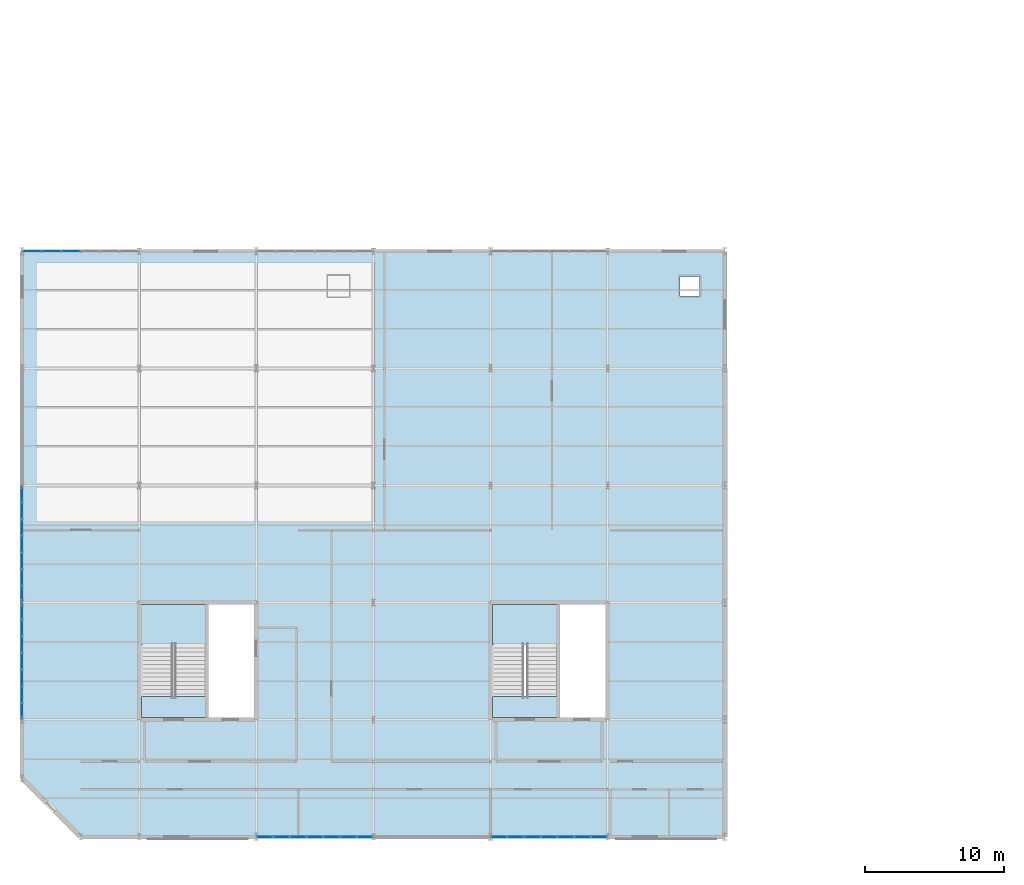
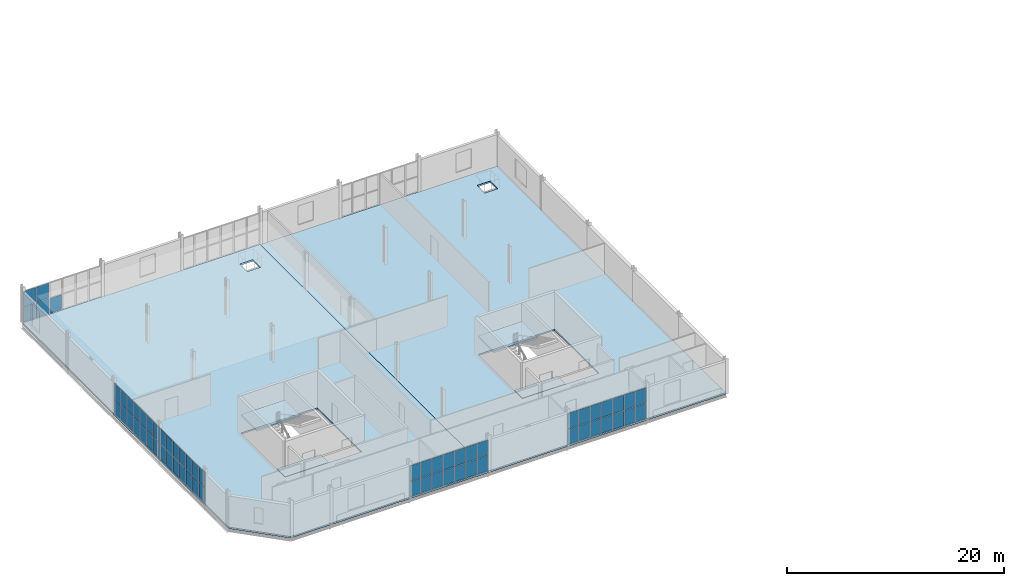
# One storey, part 40 of 65: 61 plates, 6 slabs, 7 elements without a shape of their own.
"""IFC4 building model written with IfcOpenShell, lengths in metres."""

from ifc_helpers import new_model, si_unit, direction, frame, origin, origin_2d, place, context, subcontext, project, spatial, polyline, rectangle, outline, extrude, material, layer, layer_set, type_object, element, aggregate, save


model = new_model("IFC4")

# Units and contexts
model_context = context("Model", 3, precision=1e-05, world=origin(), true_north=direction((0.0, 1.0)))
body_context = subcontext(model_context, "Body", "Model", "MODEL_VIEW")
ifc_project = project(units=[si_unit("LENGTHUNIT", "METRE"), si_unit("AREAUNIT", "SQUARE_METRE"), si_unit("VOLUMEUNIT", "CUBIC_METRE"), si_unit("PLANEANGLEUNIT", "RADIAN"), si_unit("MASSUNIT", "GRAM", prefix="KILO")], contexts=[model_context])

# Site, building, storey
site_placement = place(None, origin())
site = spatial("IfcSite", under=ifc_project, at=site_placement, CompositionType="ELEMENT")
building_placement = place(site_placement, origin())
building = spatial("IfcBuilding", under=site, at=building_placement, Name="Qalvenar Corner Mobility Hub", CompositionType="ELEMENT")
storey_placement = place(building_placement, frame((0.0, 0.0, 17.39990234375)))
storey = spatial("IfcBuildingStorey", under=building, at=storey_placement, Name="L04", CompositionType="ELEMENT", Elevation=17.39990234375)

# Curtain wall, plates
ifc_material_1 = material(Name="Anodised Aluminium and Low-E Glazing", Category="aluminium")
ifc_layer_1 = layer(ifc_material_1, 0.14990234375)
ifc_layer_set_1 = layer_set([ifc_layer_1], Name="Anodised Aluminium and Low-E Glazing")
curtain_wall_type = type_object("IfcCurtainWallType", Name="CW-CIV-84X40", PredefinedType="NOTDEFINED", material=ifc_layer_set_1)
curtain_wall_1_placement = place(storey_placement, origin())
curtain_wall_1 = element("IfcCurtainWall", 1, at=curtain_wall_1_placement, inside=storey, type_object=curtain_wall_type, Name="Glazed Curtain Wall CW-V3-L04-S2", PredefinedType="NOTDEFINED")
ifc_material_2 = material(Name="Solar-Control Low-E Double Glazing", Category="glass")
ifc_layer_2 = layer(ifc_material_2, 0.028076171875)
ifc_layer_set_2 = layer_set([ifc_layer_2], Name="Solar-Control Low-E Double Glazing")
plate_type = type_object("IfcPlateType", Name="PLT-CWP-GLZ1", PredefinedType="CURTAIN_PANEL", material=ifc_layer_set_2)
plate_1_placement = place(storey_placement, frame((17.4150390625, 0.0, 0.05517578125), z_axis=(0.0, 0.0, 1.0), x_axis=(1.0, 0.0, 0.0)))
plate_1 = element("IfcPlate", 2, at=plate_1_placement, type_object=plate_type, Name="CW-05 panel 1.1", PredefinedType="CURTAIN_PANEL", context=body_context, shape_type="SweptSolid", body=[
    extrude(rectangle(XDim=1.110107421875, YDim=0.028076171875, at=origin_2d()), origin(), (0.0, 0.0, 1.0), 1.702392578125),
])
plate_2_placement = place(storey_placement, frame((17.4150390625, 0.0, 1.8125), z_axis=(0.0, 0.0, 1.0), x_axis=(1.0, 0.0, 0.0)))
plate_2 = element("IfcPlate", 3, at=plate_2_placement, type_object=plate_type, Name="CW-05 panel 1.2", PredefinedType="CURTAIN_PANEL", context=body_context, shape_type="SweptSolid", body=[
    extrude(rectangle(XDim=1.110107421875, YDim=0.028076171875, at=origin_2d()), origin(), (0.0, 0.0, 1.0), 1.702392578125),
])
plate_3_placement = place(storey_placement, frame((18.60009765625, 0.0, 0.05517578125), z_axis=(0.0, 0.0, 1.0), x_axis=(1.0, 0.0, 0.0)))
plate_3 = element("IfcPlate", 4, at=plate_3_placement, type_object=plate_type, Name="CW-05 panel 2.1", PredefinedType="CURTAIN_PANEL", context=body_context, shape_type="SweptSolid", body=[
    extrude(rectangle(XDim=1.139892578125, YDim=0.028076171875, at=origin_2d()), origin(), (0.0, 0.0, 1.0), 1.702392578125),
])
plate_4_placement = place(storey_placement, frame((18.60009765625, 0.0, 1.8125), z_axis=(0.0, 0.0, 1.0), x_axis=(1.0, 0.0, 0.0)))
plate_4 = element("IfcPlate", 5, at=plate_4_placement, type_object=plate_type, Name="CW-05 panel 2.2", PredefinedType="CURTAIN_PANEL", context=body_context, shape_type="SweptSolid", body=[
    extrude(rectangle(XDim=1.139892578125, YDim=0.028076171875, at=origin_2d()), origin(), (0.0, 0.0, 1.0), 1.702392578125),
])
plate_5_placement = place(storey_placement, frame((19.800048828125, 0.0, 0.05517578125), z_axis=(0.0, 0.0, 1.0), x_axis=(1.0, 0.0, 0.0)))
plate_5 = element("IfcPlate", 6, at=plate_5_placement, type_object=plate_type, Name="CW-05 panel 3.1", PredefinedType="CURTAIN_PANEL", context=body_context, shape_type="SweptSolid", body=[
    extrude(rectangle(XDim=1.139892578125, YDim=0.028076171875, at=origin_2d()), origin(), (0.0, 0.0, 1.0), 1.702392578125),
])
plate_6_placement = place(storey_placement, frame((19.800048828125, 0.0, 1.8125), z_axis=(0.0, 0.0, 1.0), x_axis=(1.0, 0.0, 0.0)))
plate_6 = element("IfcPlate", 7, at=plate_6_placement, type_object=plate_type, Name="CW-05 panel 3.2", PredefinedType="CURTAIN_PANEL", context=body_context, shape_type="SweptSolid", body=[
    extrude(rectangle(XDim=1.139892578125, YDim=0.028076171875, at=origin_2d()), origin(), (0.0, 0.0, 1.0), 1.702392578125),
])
plate_7_placement = place(storey_placement, frame((21.0, 0.0, 0.05517578125), z_axis=(0.0, 0.0, 1.0), x_axis=(1.0, 0.0, 0.0)))
plate_7 = element("IfcPlate", 8, at=plate_7_placement, type_object=plate_type, Name="CW-05 panel 4.1", PredefinedType="CURTAIN_PANEL", context=body_context, shape_type="SweptSolid", body=[
    extrude(rectangle(XDim=1.139892578125, YDim=0.028076171875, at=origin_2d()), origin(), (0.0, 0.0, 1.0), 1.702392578125),
])
plate_8_placement = place(storey_placement, frame((21.0, 0.0, 1.8125), z_axis=(0.0, 0.0, 1.0), x_axis=(1.0, 0.0, 0.0)))
plate_8 = element("IfcPlate", 9, at=plate_8_placement, type_object=plate_type, Name="CW-05 panel 4.2", PredefinedType="CURTAIN_PANEL", context=body_context, shape_type="SweptSolid", body=[
    extrude(rectangle(XDim=1.139892578125, YDim=0.028076171875, at=origin_2d()), origin(), (0.0, 0.0, 1.0), 1.702392578125),
])
plate_9_placement = place(storey_placement, frame((22.199951171875, 0.0, 0.05517578125), z_axis=(0.0, 0.0, 1.0), x_axis=(1.0, 0.0, 0.0)))
plate_9 = element("IfcPlate", 10, at=plate_9_placement, type_object=plate_type, Name="CW-05 panel 5.1", PredefinedType="CURTAIN_PANEL", context=body_context, shape_type="SweptSolid", body=[
    extrude(rectangle(XDim=1.139892578125, YDim=0.028076171875, at=origin_2d()), origin(), (0.0, 0.0, 1.0), 1.702392578125),
])
plate_10_placement = place(storey_placement, frame((22.199951171875, 0.0, 1.8125), z_axis=(0.0, 0.0, 1.0), x_axis=(1.0, 0.0, 0.0)))
plate_10 = element("IfcPlate", 11, at=plate_10_placement, type_object=plate_type, Name="CW-05 panel 5.2", PredefinedType="CURTAIN_PANEL", context=body_context, shape_type="SweptSolid", body=[
    extrude(rectangle(XDim=1.139892578125, YDim=0.028076171875, at=origin_2d()), origin(), (0.0, 0.0, 1.0), 1.702392578125),
])
plate_11_placement = place(storey_placement, frame((23.39990234375, 0.0, 0.05517578125), z_axis=(0.0, 0.0, 1.0), x_axis=(1.0, 0.0, 0.0)))
plate_11 = element("IfcPlate", 12, at=plate_11_placement, type_object=plate_type, Name="CW-05 panel 6.1", PredefinedType="CURTAIN_PANEL", context=body_context, shape_type="SweptSolid", body=[
    extrude(rectangle(XDim=1.139892578125, YDim=0.028076171875, at=origin_2d()), origin(), (0.0, 0.0, 1.0), 1.702392578125),
])
plate_12_placement = place(storey_placement, frame((23.39990234375, 0.0, 1.8125), z_axis=(0.0, 0.0, 1.0), x_axis=(1.0, 0.0, 0.0)))
plate_12 = element("IfcPlate", 13, at=plate_12_placement, type_object=plate_type, Name="CW-05 panel 6.2", PredefinedType="CURTAIN_PANEL", context=body_context, shape_type="SweptSolid", body=[
    extrude(rectangle(XDim=1.139892578125, YDim=0.028076171875, at=origin_2d()), origin(), (0.0, 0.0, 1.0), 1.702392578125),
])
plate_13_placement = place(storey_placement, frame((24.5849609375, 0.0, 0.05517578125), z_axis=(0.0, 0.0, 1.0), x_axis=(1.0, 0.0, 0.0)))
plate_13 = element("IfcPlate", 14, at=plate_13_placement, type_object=plate_type, Name="CW-05 panel 7.1", PredefinedType="CURTAIN_PANEL", context=body_context, shape_type="SweptSolid", body=[
    extrude(rectangle(XDim=1.110107421875, YDim=0.028076171875, at=origin_2d()), origin(), (0.0, 0.0, 1.0), 1.702392578125),
])
plate_14_placement = place(storey_placement, frame((24.5849609375, 0.0, 1.8125), z_axis=(0.0, 0.0, 1.0), x_axis=(1.0, 0.0, 0.0)))
plate_14 = element("IfcPlate", 15, at=plate_14_placement, type_object=plate_type, Name="CW-05 panel 7.2", PredefinedType="CURTAIN_PANEL", context=body_context, shape_type="SweptSolid", body=[
    extrude(rectangle(XDim=1.110107421875, YDim=0.028076171875, at=origin_2d()), origin(), (0.0, 0.0, 1.0), 1.702392578125),
])
aggregate(curtain_wall_1, [plate_1, plate_2, plate_3, plate_4, plate_5, plate_6, plate_7, plate_8, plate_9, plate_10, plate_11, plate_12, plate_13, plate_14])

curtain_wall_2_placement = place(storey_placement, origin())
curtain_wall_2 = element("IfcCurtainWall", 16, at=curtain_wall_2_placement, inside=storey, type_object=curtain_wall_type, Name="Glazed Curtain Wall CW-V3-L04-S4", PredefinedType="NOTDEFINED")
plate_15_placement = place(storey_placement, frame((34.215087890625, 0.0, 0.05517578125), z_axis=(0.0, 0.0, 1.0), x_axis=(1.0, 0.0, 0.0)))
plate_15 = element("IfcPlate", 17, at=plate_15_placement, type_object=plate_type, Name="CW-05 panel 1.1", PredefinedType="CURTAIN_PANEL", context=body_context, shape_type="SweptSolid", body=[
    extrude(rectangle(XDim=1.110107421875, YDim=0.028076171875, at=origin_2d()), origin(), (0.0, 0.0, 1.0), 1.702392578125),
])
plate_16_placement = place(storey_placement, frame((34.215087890625, 0.0, 1.8125), z_axis=(0.0, 0.0, 1.0), x_axis=(1.0, 0.0, 0.0)))
plate_16 = element("IfcPlate", 18, at=plate_16_placement, type_object=plate_type, Name="CW-05 panel 1.2", PredefinedType="CURTAIN_PANEL", context=body_context, shape_type="SweptSolid", body=[
    extrude(rectangle(XDim=1.110107421875, YDim=0.028076171875, at=origin_2d()), origin(), (0.0, 0.0, 1.0), 1.702392578125),
])
plate_17_placement = place(storey_placement, frame((35.39990234375, 0.0, 0.05517578125), z_axis=(0.0, 0.0, 1.0), x_axis=(1.0, 0.0, 0.0)))
plate_17 = element("IfcPlate", 19, at=plate_17_placement, type_object=plate_type, Name="CW-05 panel 2.1", PredefinedType="CURTAIN_PANEL", context=body_context, shape_type="SweptSolid", body=[
    extrude(rectangle(XDim=1.139892578125, YDim=0.028076171875, at=origin_2d()), origin(), (0.0, 0.0, 1.0), 1.702392578125),
])
plate_18_placement = place(storey_placement, frame((35.39990234375, 0.0, 1.8125), z_axis=(0.0, 0.0, 1.0), x_axis=(1.0, 0.0, 0.0)))
plate_18 = element("IfcPlate", 20, at=plate_18_placement, type_object=plate_type, Name="CW-05 panel 2.2", PredefinedType="CURTAIN_PANEL", context=body_context, shape_type="SweptSolid", body=[
    extrude(rectangle(XDim=1.139892578125, YDim=0.028076171875, at=origin_2d()), origin(), (0.0, 0.0, 1.0), 1.702392578125),
])
plate_19_placement = place(storey_placement, frame((36.60009765625, 0.0, 0.05517578125), z_axis=(0.0, 0.0, 1.0), x_axis=(1.0, 0.0, 0.0)))
plate_19 = element("IfcPlate", 21, at=plate_19_placement, type_object=plate_type, Name="CW-05 panel 3.1", PredefinedType="CURTAIN_PANEL", context=body_context, shape_type="SweptSolid", body=[
    extrude(rectangle(XDim=1.139892578125, YDim=0.028076171875, at=origin_2d()), origin(), (0.0, 0.0, 1.0), 1.702392578125),
])
plate_20_placement = place(storey_placement, frame((36.60009765625, 0.0, 1.8125), z_axis=(0.0, 0.0, 1.0), x_axis=(1.0, 0.0, 0.0)))
plate_20 = element("IfcPlate", 22, at=plate_20_placement, type_object=plate_type, Name="CW-05 panel 3.2", PredefinedType="CURTAIN_PANEL", context=body_context, shape_type="SweptSolid", body=[
    extrude(rectangle(XDim=1.139892578125, YDim=0.028076171875, at=origin_2d()), origin(), (0.0, 0.0, 1.0), 1.702392578125),
])
plate_21_placement = place(storey_placement, frame((37.800048828125, 0.0, 0.05517578125), z_axis=(0.0, 0.0, 1.0), x_axis=(1.0, 0.0, 0.0)))
plate_21 = element("IfcPlate", 23, at=plate_21_placement, type_object=plate_type, Name="CW-05 panel 4.1", PredefinedType="CURTAIN_PANEL", context=body_context, shape_type="SweptSolid", body=[
    extrude(rectangle(XDim=1.139892578125, YDim=0.028076171875, at=origin_2d()), origin(), (0.0, 0.0, 1.0), 1.702392578125),
])
plate_22_placement = place(storey_placement, frame((37.800048828125, 0.0, 1.8125), z_axis=(0.0, 0.0, 1.0), x_axis=(1.0, 0.0, 0.0)))
plate_22 = element("IfcPlate", 24, at=plate_22_placement, type_object=plate_type, Name="CW-05 panel 4.2", PredefinedType="CURTAIN_PANEL", context=body_context, shape_type="SweptSolid", body=[
    extrude(rectangle(XDim=1.139892578125, YDim=0.028076171875, at=origin_2d()), origin(), (0.0, 0.0, 1.0), 1.702392578125),
])
plate_23_placement = place(storey_placement, frame((39.0, 0.0, 0.05517578125), z_axis=(0.0, 0.0, 1.0), x_axis=(1.0, 0.0, 0.0)))
plate_23 = element("IfcPlate", 25, at=plate_23_placement, type_object=plate_type, Name="CW-05 panel 5.1", PredefinedType="CURTAIN_PANEL", context=body_context, shape_type="SweptSolid", body=[
    extrude(rectangle(XDim=1.139892578125, YDim=0.028076171875, at=origin_2d()), origin(), (0.0, 0.0, 1.0), 1.702392578125),
])
plate_24_placement = place(storey_placement, frame((39.0, 0.0, 1.8125), z_axis=(0.0, 0.0, 1.0), x_axis=(1.0, 0.0, 0.0)))
plate_24 = element("IfcPlate", 26, at=plate_24_placement, type_object=plate_type, Name="CW-05 panel 5.2", PredefinedType="CURTAIN_PANEL", context=body_context, shape_type="SweptSolid", body=[
    extrude(rectangle(XDim=1.139892578125, YDim=0.028076171875, at=origin_2d()), origin(), (0.0, 0.0, 1.0), 1.702392578125),
])
plate_25_placement = place(storey_placement, frame((40.199951171875, 0.0, 0.05517578125), z_axis=(0.0, 0.0, 1.0), x_axis=(1.0, 0.0, 0.0)))
plate_25 = element("IfcPlate", 27, at=plate_25_placement, type_object=plate_type, Name="CW-05 panel 6.1", PredefinedType="CURTAIN_PANEL", context=body_context, shape_type="SweptSolid", body=[
    extrude(rectangle(XDim=1.139892578125, YDim=0.028076171875, at=origin_2d()), origin(), (0.0, 0.0, 1.0), 1.702392578125),
])
plate_26_placement = place(storey_placement, frame((40.199951171875, 0.0, 1.8125), z_axis=(0.0, 0.0, 1.0), x_axis=(1.0, 0.0, 0.0)))
plate_26 = element("IfcPlate", 28, at=plate_26_placement, type_object=plate_type, Name="CW-05 panel 6.2", PredefinedType="CURTAIN_PANEL", context=body_context, shape_type="SweptSolid", body=[
    extrude(rectangle(XDim=1.139892578125, YDim=0.028076171875, at=origin_2d()), origin(), (0.0, 0.0, 1.0), 1.702392578125),
])
plate_27_placement = place(storey_placement, frame((41.385009765625, 0.0, 0.05517578125), z_axis=(0.0, 0.0, 1.0), x_axis=(1.0, 0.0, 0.0)))
plate_27 = element("IfcPlate", 29, at=plate_27_placement, type_object=plate_type, Name="CW-05 panel 7.1", PredefinedType="CURTAIN_PANEL", context=body_context, shape_type="SweptSolid", body=[
    extrude(rectangle(XDim=1.110107421875, YDim=0.028076171875, at=origin_2d()), origin(), (0.0, 0.0, 1.0), 1.702392578125),
])
plate_28_placement = place(storey_placement, frame((41.385009765625, 0.0, 1.8125), z_axis=(0.0, 0.0, 1.0), x_axis=(1.0, 0.0, 0.0)))
plate_28 = element("IfcPlate", 30, at=plate_28_placement, type_object=plate_type, Name="CW-05 panel 7.2", PredefinedType="CURTAIN_PANEL", context=body_context, shape_type="SweptSolid", body=[
    extrude(rectangle(XDim=1.110107421875, YDim=0.028076171875, at=origin_2d()), origin(), (0.0, 0.0, 1.0), 1.702392578125),
])
aggregate(curtain_wall_2, [plate_15, plate_16, plate_17, plate_18, plate_19, plate_20, plate_21, plate_22, plate_23, plate_24, plate_25, plate_26, plate_27, plate_28])

curtain_wall_3_placement = place(storey_placement, origin())
curtain_wall_3 = element("IfcCurtainWall", 31, at=curtain_wall_3_placement, inside=storey, type_object=curtain_wall_type, Name="Glazed Curtain Wall CW-V3-L04-W1", PredefinedType="NOTDEFINED")
plate_29_placement = place(storey_placement, frame((0.0, 16.18505859375, 0.05517578125), z_axis=(0.0, 0.0, 1.0), x_axis=(0.0, -1.0, 0.0)))
plate_29 = element("IfcPlate", 32, at=plate_29_placement, type_object=plate_type, Name="CW-05 panel 1.1", PredefinedType="CURTAIN_PANEL", context=body_context, shape_type="SweptSolid", body=[
    extrude(rectangle(XDim=1.110107421875, YDim=0.028076171875, at=origin_2d()), origin(), (0.0, 0.0, 1.0), 1.702392578125),
])
plate_30_placement = place(storey_placement, frame((0.0, 16.18505859375, 1.8125), z_axis=(0.0, 0.0, 1.0), x_axis=(0.0, -1.0, 0.0)))
plate_30 = element("IfcPlate", 33, at=plate_30_placement, type_object=plate_type, Name="CW-05 panel 1.2", PredefinedType="CURTAIN_PANEL", context=body_context, shape_type="SweptSolid", body=[
    extrude(rectangle(XDim=1.110107421875, YDim=0.028076171875, at=origin_2d()), origin(), (0.0, 0.0, 1.0), 1.702392578125),
])
plate_31_placement = place(storey_placement, frame((0.0, 15.0, 0.05517578125), z_axis=(0.0, 0.0, 1.0), x_axis=(0.0, -1.0, 0.0)))
plate_31 = element("IfcPlate", 34, at=plate_31_placement, type_object=plate_type, Name="CW-05 panel 2.1", PredefinedType="CURTAIN_PANEL", context=body_context, shape_type="SweptSolid", body=[
    extrude(rectangle(XDim=1.139892578125, YDim=0.028076171875, at=origin_2d()), origin(), (0.0, 0.0, 1.0), 1.702392578125),
])
plate_32_placement = place(storey_placement, frame((0.0, 15.0, 1.8125), z_axis=(0.0, 0.0, 1.0), x_axis=(0.0, -1.0, 0.0)))
plate_32 = element("IfcPlate", 35, at=plate_32_placement, type_object=plate_type, Name="CW-05 panel 2.2", PredefinedType="CURTAIN_PANEL", context=body_context, shape_type="SweptSolid", body=[
    extrude(rectangle(XDim=1.139892578125, YDim=0.028076171875, at=origin_2d()), origin(), (0.0, 0.0, 1.0), 1.702392578125),
])
plate_33_placement = place(storey_placement, frame((0.0, 13.800048828125, 0.05517578125), z_axis=(0.0, 0.0, 1.0), x_axis=(0.0, -1.0, 0.0)))
plate_33 = element("IfcPlate", 36, at=plate_33_placement, type_object=plate_type, Name="CW-05 panel 3.1", PredefinedType="CURTAIN_PANEL", context=body_context, shape_type="SweptSolid", body=[
    extrude(rectangle(XDim=1.139892578125, YDim=0.028076171875, at=origin_2d()), origin(), (0.0, 0.0, 1.0), 1.702392578125),
])
plate_34_placement = place(storey_placement, frame((0.0, 13.800048828125, 1.8125), z_axis=(0.0, 0.0, 1.0), x_axis=(0.0, -1.0, 0.0)))
plate_34 = element("IfcPlate", 37, at=plate_34_placement, type_object=plate_type, Name="CW-05 panel 3.2", PredefinedType="CURTAIN_PANEL", context=body_context, shape_type="SweptSolid", body=[
    extrude(rectangle(XDim=1.139892578125, YDim=0.028076171875, at=origin_2d()), origin(), (0.0, 0.0, 1.0), 1.702392578125),
])
plate_35_placement = place(storey_placement, frame((0.0, 12.60009765625, 0.05517578125), z_axis=(0.0, 0.0, 1.0), x_axis=(0.0, -1.0, 0.0)))
plate_35 = element("IfcPlate", 38, at=plate_35_placement, type_object=plate_type, Name="CW-05 panel 4.1", PredefinedType="CURTAIN_PANEL", context=body_context, shape_type="SweptSolid", body=[
    extrude(rectangle(XDim=1.139892578125, YDim=0.028076171875, at=origin_2d()), origin(), (0.0, 0.0, 1.0), 1.702392578125),
])
plate_36_placement = place(storey_placement, frame((0.0, 12.60009765625, 1.8125), z_axis=(0.0, 0.0, 1.0), x_axis=(0.0, -1.0, 0.0)))
plate_36 = element("IfcPlate", 39, at=plate_36_placement, type_object=plate_type, Name="CW-05 panel 4.2", PredefinedType="CURTAIN_PANEL", context=body_context, shape_type="SweptSolid", body=[
    extrude(rectangle(XDim=1.139892578125, YDim=0.028076171875, at=origin_2d()), origin(), (0.0, 0.0, 1.0), 1.702392578125),
])
plate_37_placement = place(storey_placement, frame((0.0, 11.39990234375, 0.05517578125), z_axis=(0.0, 0.0, 1.0), x_axis=(0.0, -1.0, 0.0)))
plate_37 = element("IfcPlate", 40, at=plate_37_placement, type_object=plate_type, Name="CW-05 panel 5.1", PredefinedType="CURTAIN_PANEL", context=body_context, shape_type="SweptSolid", body=[
    extrude(rectangle(XDim=1.139892578125, YDim=0.028076171875, at=origin_2d()), origin(), (0.0, 0.0, 1.0), 1.702392578125),
])
plate_38_placement = place(storey_placement, frame((0.0, 11.39990234375, 1.8125), z_axis=(0.0, 0.0, 1.0), x_axis=(0.0, -1.0, 0.0)))
plate_38 = element("IfcPlate", 41, at=plate_38_placement, type_object=plate_type, Name="CW-05 panel 5.2", PredefinedType="CURTAIN_PANEL", context=body_context, shape_type="SweptSolid", body=[
    extrude(rectangle(XDim=1.139892578125, YDim=0.028076171875, at=origin_2d()), origin(), (0.0, 0.0, 1.0), 1.702392578125),
])
plate_39_placement = place(storey_placement, frame((0.0, 10.199951171875, 0.05517578125), z_axis=(0.0, 0.0, 1.0), x_axis=(0.0, -1.0, 0.0)))
plate_39 = element("IfcPlate", 42, at=plate_39_placement, type_object=plate_type, Name="CW-05 panel 6.1", PredefinedType="CURTAIN_PANEL", context=body_context, shape_type="SweptSolid", body=[
    extrude(rectangle(XDim=1.139892578125, YDim=0.028076171875, at=origin_2d()), origin(), (0.0, 0.0, 1.0), 1.702392578125),
])
plate_40_placement = place(storey_placement, frame((0.0, 10.199951171875, 1.8125), z_axis=(0.0, 0.0, 1.0), x_axis=(0.0, -1.0, 0.0)))
plate_40 = element("IfcPlate", 43, at=plate_40_placement, type_object=plate_type, Name="CW-05 panel 6.2", PredefinedType="CURTAIN_PANEL", context=body_context, shape_type="SweptSolid", body=[
    extrude(rectangle(XDim=1.139892578125, YDim=0.028076171875, at=origin_2d()), origin(), (0.0, 0.0, 1.0), 1.702392578125),
])
plate_41_placement = place(storey_placement, frame((0.0, 9.014892578125, 0.05517578125), z_axis=(0.0, 0.0, 1.0), x_axis=(0.0, -1.0, 0.0)))
plate_41 = element("IfcPlate", 44, at=plate_41_placement, type_object=plate_type, Name="CW-05 panel 7.1", PredefinedType="CURTAIN_PANEL", context=body_context, shape_type="SweptSolid", body=[
    extrude(rectangle(XDim=1.110107421875, YDim=0.028076171875, at=origin_2d()), origin(), (0.0, 0.0, 1.0), 1.702392578125),
])
plate_42_placement = place(storey_placement, frame((0.0, 9.014892578125, 1.8125), z_axis=(0.0, 0.0, 1.0), x_axis=(0.0, -1.0, 0.0)))
plate_42 = element("IfcPlate", 45, at=plate_42_placement, type_object=plate_type, Name="CW-05 panel 7.2", PredefinedType="CURTAIN_PANEL", context=body_context, shape_type="SweptSolid", body=[
    extrude(rectangle(XDim=1.110107421875, YDim=0.028076171875, at=origin_2d()), origin(), (0.0, 0.0, 1.0), 1.702392578125),
])
aggregate(curtain_wall_3, [plate_29, plate_30, plate_31, plate_32, plate_33, plate_34, plate_35, plate_36, plate_37, plate_38, plate_39, plate_40, plate_41, plate_42])

curtain_wall_4_placement = place(storey_placement, origin())
curtain_wall_4 = element("IfcCurtainWall", 46, at=curtain_wall_4_placement, inside=storey, type_object=curtain_wall_type, Name="Glazed Curtain Wall CW-V3-L04-W2", PredefinedType="NOTDEFINED")
plate_43_placement = place(storey_placement, frame((0.0, 24.5849609375, 0.05517578125), z_axis=(0.0, 0.0, 1.0), x_axis=(0.0, -1.0, 0.0)))
plate_43 = element("IfcPlate", 47, at=plate_43_placement, type_object=plate_type, Name="CW-05 panel 1.1", PredefinedType="CURTAIN_PANEL", context=body_context, shape_type="SweptSolid", body=[
    extrude(rectangle(XDim=1.110107421875, YDim=0.028076171875, at=origin_2d()), origin(), (0.0, 0.0, 1.0), 1.702392578125),
])
plate_44_placement = place(storey_placement, frame((0.0, 24.5849609375, 1.8125), z_axis=(0.0, 0.0, 1.0), x_axis=(0.0, -1.0, 0.0)))
plate_44 = element("IfcPlate", 48, at=plate_44_placement, type_object=plate_type, Name="CW-05 panel 1.2", PredefinedType="CURTAIN_PANEL", context=body_context, shape_type="SweptSolid", body=[
    extrude(rectangle(XDim=1.110107421875, YDim=0.028076171875, at=origin_2d()), origin(), (0.0, 0.0, 1.0), 1.702392578125),
])
plate_45_placement = place(storey_placement, frame((0.0, 23.39990234375, 0.05517578125), z_axis=(0.0, 0.0, 1.0), x_axis=(0.0, -1.0, 0.0)))
plate_45 = element("IfcPlate", 49, at=plate_45_placement, type_object=plate_type, Name="CW-05 panel 2.1", PredefinedType="CURTAIN_PANEL", context=body_context, shape_type="SweptSolid", body=[
    extrude(rectangle(XDim=1.139892578125, YDim=0.028076171875, at=origin_2d()), origin(), (0.0, 0.0, 1.0), 1.702392578125),
])
plate_46_placement = place(storey_placement, frame((0.0, 23.39990234375, 1.8125), z_axis=(0.0, 0.0, 1.0), x_axis=(0.0, -1.0, 0.0)))
plate_46 = element("IfcPlate", 50, at=plate_46_placement, type_object=plate_type, Name="CW-05 panel 2.2", PredefinedType="CURTAIN_PANEL", context=body_context, shape_type="SweptSolid", body=[
    extrude(rectangle(XDim=1.139892578125, YDim=0.028076171875, at=origin_2d()), origin(), (0.0, 0.0, 1.0), 1.702392578125),
])
plate_47_placement = place(storey_placement, frame((0.0, 22.199951171875, 0.05517578125), z_axis=(0.0, 0.0, 1.0), x_axis=(0.0, -1.0, 0.0)))
plate_47 = element("IfcPlate", 51, at=plate_47_placement, type_object=plate_type, Name="CW-05 panel 3.1", PredefinedType="CURTAIN_PANEL", context=body_context, shape_type="SweptSolid", body=[
    extrude(rectangle(XDim=1.139892578125, YDim=0.028076171875, at=origin_2d()), origin(), (0.0, 0.0, 1.0), 1.702392578125),
])
plate_48_placement = place(storey_placement, frame((0.0, 22.199951171875, 1.8125), z_axis=(0.0, 0.0, 1.0), x_axis=(0.0, -1.0, 0.0)))
plate_48 = element("IfcPlate", 52, at=plate_48_placement, type_object=plate_type, Name="CW-05 panel 3.2", PredefinedType="CURTAIN_PANEL", context=body_context, shape_type="SweptSolid", body=[
    extrude(rectangle(XDim=1.139892578125, YDim=0.028076171875, at=origin_2d()), origin(), (0.0, 0.0, 1.0), 1.702392578125),
])
plate_49_placement = place(storey_placement, frame((0.0, 21.0, 0.05517578125), z_axis=(0.0, 0.0, 1.0), x_axis=(0.0, -1.0, 0.0)))
plate_49 = element("IfcPlate", 53, at=plate_49_placement, type_object=plate_type, Name="CW-05 panel 4.1", PredefinedType="CURTAIN_PANEL", context=body_context, shape_type="SweptSolid", body=[
    extrude(rectangle(XDim=1.139892578125, YDim=0.028076171875, at=origin_2d()), origin(), (0.0, 0.0, 1.0), 1.702392578125),
])
plate_50_placement = place(storey_placement, frame((0.0, 21.0, 1.8125), z_axis=(0.0, 0.0, 1.0), x_axis=(0.0, -1.0, 0.0)))
plate_50 = element("IfcPlate", 54, at=plate_50_placement, type_object=plate_type, Name="CW-05 panel 4.2", PredefinedType="CURTAIN_PANEL", context=body_context, shape_type="SweptSolid", body=[
    extrude(rectangle(XDim=1.139892578125, YDim=0.028076171875, at=origin_2d()), origin(), (0.0, 0.0, 1.0), 1.702392578125),
])
plate_51_placement = place(storey_placement, frame((0.0, 19.800048828125, 0.05517578125), z_axis=(0.0, 0.0, 1.0), x_axis=(0.0, -1.0, 0.0)))
plate_51 = element("IfcPlate", 55, at=plate_51_placement, type_object=plate_type, Name="CW-05 panel 5.1", PredefinedType="CURTAIN_PANEL", context=body_context, shape_type="SweptSolid", body=[
    extrude(rectangle(XDim=1.139892578125, YDim=0.028076171875, at=origin_2d()), origin(), (0.0, 0.0, 1.0), 1.702392578125),
])
plate_52_placement = place(storey_placement, frame((0.0, 19.800048828125, 1.8125), z_axis=(0.0, 0.0, 1.0), x_axis=(0.0, -1.0, 0.0)))
plate_52 = element("IfcPlate", 56, at=plate_52_placement, type_object=plate_type, Name="CW-05 panel 5.2", PredefinedType="CURTAIN_PANEL", context=body_context, shape_type="SweptSolid", body=[
    extrude(rectangle(XDim=1.139892578125, YDim=0.028076171875, at=origin_2d()), origin(), (0.0, 0.0, 1.0), 1.702392578125),
])
plate_53_placement = place(storey_placement, frame((0.0, 18.60009765625, 0.05517578125), z_axis=(0.0, 0.0, 1.0), x_axis=(0.0, -1.0, 0.0)))
plate_53 = element("IfcPlate", 57, at=plate_53_placement, type_object=plate_type, Name="CW-05 panel 6.1", PredefinedType="CURTAIN_PANEL", context=body_context, shape_type="SweptSolid", body=[
    extrude(rectangle(XDim=1.139892578125, YDim=0.028076171875, at=origin_2d()), origin(), (0.0, 0.0, 1.0), 1.702392578125),
])
plate_54_placement = place(storey_placement, frame((0.0, 18.60009765625, 1.8125), z_axis=(0.0, 0.0, 1.0), x_axis=(0.0, -1.0, 0.0)))
plate_54 = element("IfcPlate", 58, at=plate_54_placement, type_object=plate_type, Name="CW-05 panel 6.2", PredefinedType="CURTAIN_PANEL", context=body_context, shape_type="SweptSolid", body=[
    extrude(rectangle(XDim=1.139892578125, YDim=0.028076171875, at=origin_2d()), origin(), (0.0, 0.0, 1.0), 1.702392578125),
])
plate_55_placement = place(storey_placement, frame((0.0, 17.4150390625, 0.05517578125), z_axis=(0.0, 0.0, 1.0), x_axis=(0.0, -1.0, 0.0)))
plate_55 = element("IfcPlate", 59, at=plate_55_placement, type_object=plate_type, Name="CW-05 panel 7.1", PredefinedType="CURTAIN_PANEL", context=body_context, shape_type="SweptSolid", body=[
    extrude(rectangle(XDim=1.110107421875, YDim=0.028076171875, at=origin_2d()), origin(), (0.0, 0.0, 1.0), 1.702392578125),
])
plate_56_placement = place(storey_placement, frame((0.0, 17.4150390625, 1.8125), z_axis=(0.0, 0.0, 1.0), x_axis=(0.0, -1.0, 0.0)))
plate_56 = element("IfcPlate", 60, at=plate_56_placement, type_object=plate_type, Name="CW-05 panel 7.2", PredefinedType="CURTAIN_PANEL", context=body_context, shape_type="SweptSolid", body=[
    extrude(rectangle(XDim=1.110107421875, YDim=0.028076171875, at=origin_2d()), origin(), (0.0, 0.0, 1.0), 1.702392578125),
])
aggregate(curtain_wall_4, [plate_43, plate_44, plate_45, plate_46, plate_47, plate_48, plate_49, plate_50, plate_51, plate_52, plate_53, plate_54, plate_55, plate_56])

curtain_wall_5_placement = place(storey_placement, origin())
curtain_wall_5 = element("IfcCurtainWall", 61, at=curtain_wall_5_placement, inside=storey, type_object=curtain_wall_type, Name="Glazed Curtain Wall CW-V3-L04-N0", PredefinedType="NOTDEFINED")
plate_57_placement = place(storey_placement, frame((3.5, 42.0, 0.05517578125), z_axis=(0.0, 0.0, 1.0), x_axis=(-1.0, 0.0, 0.0)))
plate_57 = element("IfcPlate", 62, at=plate_57_placement, type_object=plate_type, Name="CW-05 panel 4.1", PredefinedType="CURTAIN_PANEL", context=body_context, shape_type="SweptSolid", body=[
    extrude(rectangle(XDim=1.340087890625, YDim=0.028076171875, at=origin_2d()), origin(), (0.0, 0.0, 1.0), 1.702392578125),
])
plate_58_placement = place(storey_placement, frame((2.10009765625, 42.0, 0.05517578125), z_axis=(0.0, 0.0, 1.0), x_axis=(-1.0, 0.0, 0.0)))
plate_58 = element("IfcPlate", 63, at=plate_58_placement, type_object=plate_type, Name="CW-05 panel 5.1", PredefinedType="CURTAIN_PANEL", context=body_context, shape_type="SweptSolid", body=[
    extrude(rectangle(XDim=1.340087890625, YDim=0.028076171875, at=origin_2d()), origin(), (0.0, 0.0, 1.0), 1.702392578125),
])
plate_59_placement = place(storey_placement, frame((2.10009765625, 42.0, 1.8125), z_axis=(0.0, 0.0, 1.0), x_axis=(-1.0, 0.0, 0.0)))
plate_59 = element("IfcPlate", 64, at=plate_59_placement, type_object=plate_type, Name="CW-05 panel 5.2", PredefinedType="CURTAIN_PANEL", context=body_context, shape_type="SweptSolid", body=[
    extrude(rectangle(XDim=1.340087890625, YDim=0.028076171875, at=origin_2d()), origin(), (0.0, 0.0, 1.0), 1.702392578125),
])
plate_60_placement = place(storey_placement, frame((0.715087890625, 42.0, 0.05517578125), z_axis=(0.0, 0.0, 1.0), x_axis=(-1.0, 0.0, 0.0)))
plate_60 = element("IfcPlate", 65, at=plate_60_placement, type_object=plate_type, Name="CW-05 panel 6.1", PredefinedType="CURTAIN_PANEL", context=body_context, shape_type="SweptSolid", body=[
    extrude(rectangle(XDim=1.31005859375, YDim=0.028076171875, at=origin_2d()), origin(), (0.0, 0.0, 1.0), 1.702392578125),
])
plate_61_placement = place(storey_placement, frame((0.715087890625, 42.0, 1.8125), z_axis=(0.0, 0.0, 1.0), x_axis=(-1.0, 0.0, 0.0)))
plate_61 = element("IfcPlate", 66, at=plate_61_placement, type_object=plate_type, Name="CW-05 panel 6.2", PredefinedType="CURTAIN_PANEL", context=body_context, shape_type="SweptSolid", body=[
    extrude(rectangle(XDim=1.31005859375, YDim=0.028076171875, at=origin_2d()), origin(), (0.0, 0.0, 1.0), 1.702392578125),
])
aggregate(curtain_wall_5, [plate_57, plate_58, plate_59, plate_60, plate_61])

# Slabs
ifc_material_3 = material(Name="Concrete C35/45", Category="concrete")
ifc_layer_3 = layer(ifc_material_3, 0.179931640625)
ifc_layer_set_3 = layer_set([ifc_layer_3], Name="Concrete C35/45")
slab_type_1 = type_object("IfcSlabType", Name="SLB-COMP180", PredefinedType="FLOOR", material=ifc_layer_set_3)
slab_1_placement = place(storey_placement, frame((0.0, 0.0, -0.179931640625)))
element("IfcSlab", 67, at=slab_1_placement, inside=storey, type_object=slab_type_1, Name="Composite Slab V3-A-L04", PredefinedType="FLOOR", context=body_context, shape_type="SweptSolid", body=[
    extrude(outline(polyline([(4.199951171875, 0.0), (25.199951171875, 0.0), (25.199951171875, 42.0), (0.0, 42.0), (0.0, 4.199951171875), (4.199951171875, 0.0)]), holes=[polyline([(8.530029296875, 8.530029296875), (16.669921875, 8.530029296875), (16.669921875, 16.669921875), (8.530029296875, 16.669921875), (8.530029296875, 8.530029296875)]), polyline([(22.0, 38.800048828125), (23.39990234375, 38.800048828125), (23.39990234375, 40.199951171875), (22.0, 40.199951171875), (22.0, 38.800048828125)])]), origin(), (0.0, 0.0, 1.0), 0.179931640625),
])
slab_2_placement = place(storey_placement, frame((0.0, 0.0, -0.179931640625)))
element("IfcSlab", 68, at=slab_2_placement, inside=storey, type_object=slab_type_1, Name="Composite Slab V3-B-L04", PredefinedType="FLOOR", context=body_context, shape_type="SweptSolid", body=[
    extrude(outline(polyline([(25.199951171875, 0.0), (50.39990234375, 0.0), (50.39990234375, 42.0), (25.199951171875, 42.0), (25.199951171875, 0.0)]), holes=[polyline([(33.72998046875, 8.530029296875), (41.8701171875, 8.530029296875), (41.8701171875, 16.669921875), (33.72998046875, 16.669921875), (33.72998046875, 8.530029296875)]), polyline([(47.199951171875, 38.800048828125), (48.60009765625, 38.800048828125), (48.60009765625, 40.199951171875), (47.199951171875, 40.199951171875), (47.199951171875, 38.800048828125)])]), origin(), (0.0, 0.0, 1.0), 0.179931640625),
])

# Stair, slab
stair_type_1 = type_object("IfcStairType", Name="STR-220-H42", PredefinedType="HALF_TURN_STAIR", material=ifc_material_3)
stair_1_placement = place(storey_placement, origin())
stair_1 = element("IfcStair", 69, at=stair_1_placement, inside=storey, type_object=stair_type_1, Name="Exit Stair ST1 L04-L05", PredefinedType="HALF_TURN_STAIR")
ifc_layer_4 = layer(ifc_material_3, 0.179931640625)
ifc_layer_set_4 = layer_set([ifc_layer_4], Name="Concrete C35/45")
slab_type_2 = type_object("IfcSlabType", Name="SLB-LND180", PredefinedType="LANDING", material=ifc_layer_set_4)
slab_3_placement = place(storey_placement, frame((0.0, 0.0, 1.920166015625)))
slab_3 = element("IfcSlab", 70, at=slab_3_placement, type_object=slab_type_2, Name="ST1 landing 1", PredefinedType="LANDING", context=body_context, shape_type="SweptSolid", body=[
    extrude(outline(polyline([(8.5400390625, 13.75), (13.179931640625, 13.75), (13.179931640625, 16.659912109375), (8.5400390625, 16.659912109375), (8.5400390625, 13.75)])), origin(), (0.0, 0.0, 1.0), 0.179931640625),
])
aggregate(stair_1, [slab_3])

stair_type_2 = type_object("IfcStairType", Name="STR-200-H42", PredefinedType="HALF_TURN_STAIR", material=ifc_material_3)
stair_2_placement = place(storey_placement, origin())
stair_2 = element("IfcStair", 71, at=stair_2_placement, inside=storey, type_object=stair_type_2, Name="Exit Stair ST2 L04-L05", PredefinedType="HALF_TURN_STAIR")
slab_4_placement = place(storey_placement, frame((0.0, 0.0, 1.920166015625)))
slab_4 = element("IfcSlab", 72, at=slab_4_placement, type_object=slab_type_2, Name="ST2 landing 1", PredefinedType="LANDING", context=body_context, shape_type="SweptSolid", body=[
    extrude(outline(polyline([(33.739990234375, 13.75), (38.3798828125, 13.75), (38.3798828125, 16.659912109375), (33.739990234375, 16.659912109375), (33.739990234375, 13.75)])), origin(), (0.0, 0.0, 1.0), 0.179931640625),
])
aggregate(stair_2, [slab_4])

# Slabs
ifc_layer_5 = layer(ifc_material_3, 0.175048828125)
ifc_layer_set_5 = layer_set([ifc_layer_5], Name="Concrete C35/45")
slab_type_3 = type_object("IfcSlabType", Name="SLB-LND200", PredefinedType="LANDING", material=ifc_layer_set_5)
slab_5_placement = place(storey_placement, frame((0.0, 0.0, -0.1748046875)))
element("IfcSlab", 73, at=slab_5_placement, inside=storey, type_object=slab_type_3, Name="Core Stair Arrival Landing C1-L04", PredefinedType="LANDING", context=body_context, shape_type="SweptSolid", body=[
    extrude(outline(polyline([(8.550048828125, 8.550048828125), (13.169921875, 8.550048828125), (13.169921875, 10.050048828125), (8.550048828125, 10.050048828125), (8.550048828125, 8.550048828125)])), origin(), (0.0, 0.0, 1.0), 0.1748046875),
])
slab_6_placement = place(storey_placement, frame((0.0, 0.0, -0.1748046875)))
element("IfcSlab", 74, at=slab_6_placement, inside=storey, type_object=slab_type_3, Name="Core Stair Arrival Landing C2-L04", PredefinedType="LANDING", context=body_context, shape_type="SweptSolid", body=[
    extrude(outline(polyline([(33.75, 8.550048828125), (38.3701171875, 8.550048828125), (38.3701171875, 10.050048828125), (33.75, 10.050048828125), (33.75, 8.550048828125)])), origin(), (0.0, 0.0, 1.0), 0.1748046875),
])

save(model, "model.ifc")
